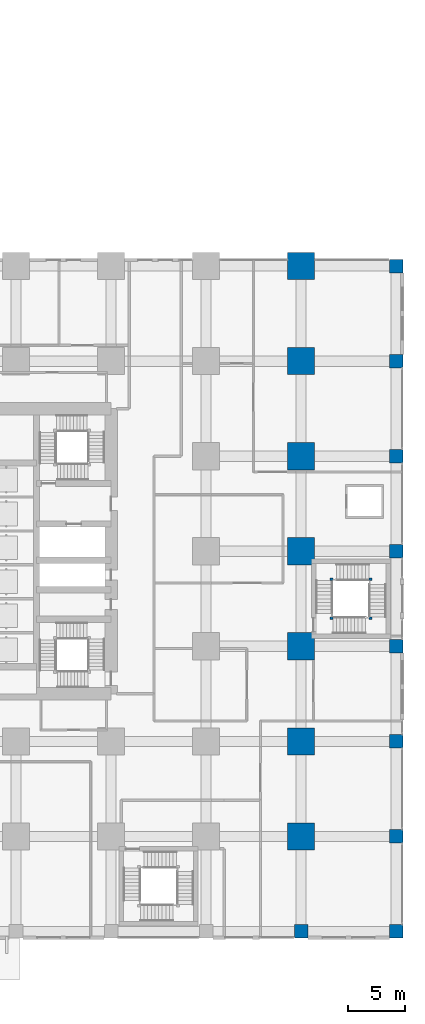
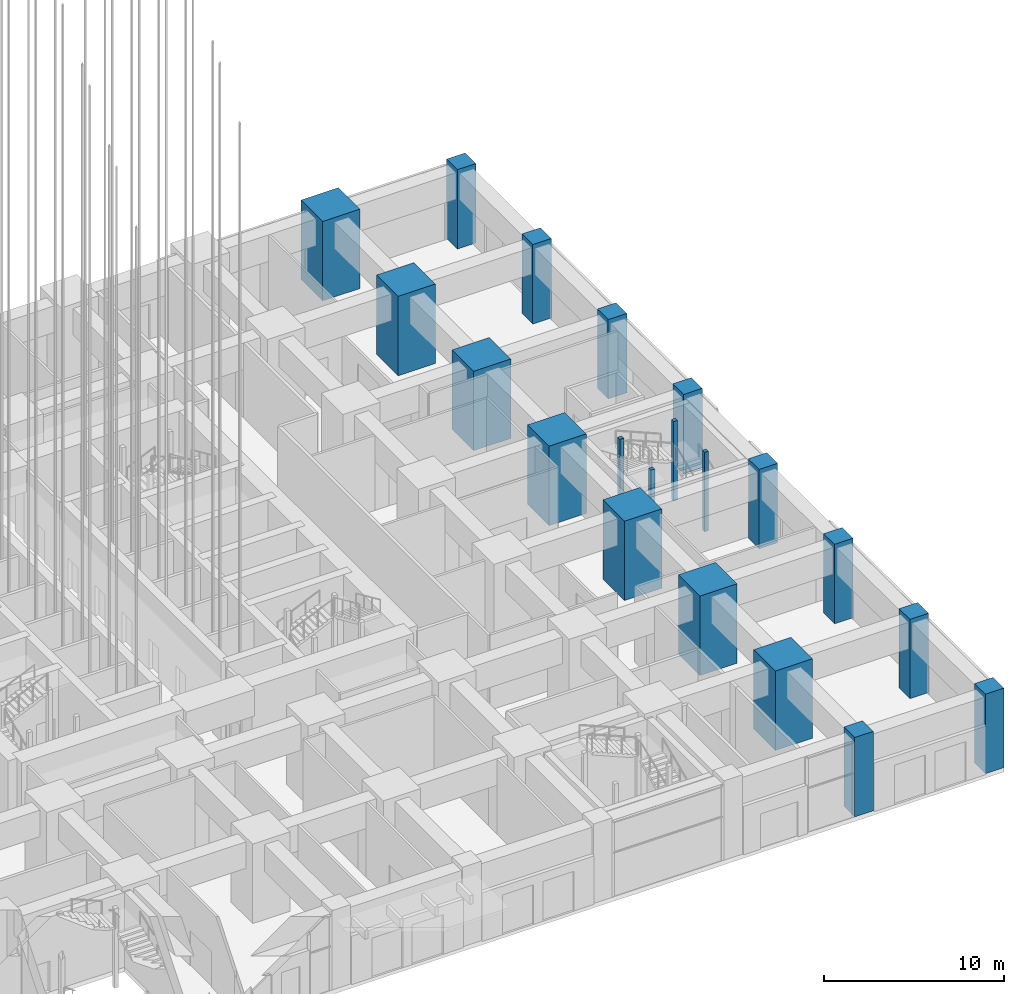
# One storey, part 2 of 81: 20 columns.
"""IFC4 building model written with IfcOpenShell, lengths in metres."""

from ifc_helpers import new_model, si_unit, direction, frame, origin, origin_2d, place, context, subcontext, project, spatial, rectangle, extrude, material, material_profile, profile_set, type_object, element, save


model = new_model("IFC4")

# Units and contexts
model_context = context("Model", 3, precision=1e-05, world=origin(), true_north=direction((0.0, 1.0)))
body_context = subcontext(model_context, "Body", "Model", "MODEL_VIEW")
ifc_project = project(units=[si_unit("LENGTHUNIT", "METRE"), si_unit("AREAUNIT", "SQUARE_METRE"), si_unit("VOLUMEUNIT", "CUBIC_METRE"), si_unit("PLANEANGLEUNIT", "RADIAN"), si_unit("MASSUNIT", "GRAM", prefix="KILO")], contexts=[model_context])

# Site, building, storey
site_placement = place(None, origin())
site = spatial("IfcSite", under=ifc_project, at=site_placement, CompositionType="ELEMENT")
building_placement = place(site_placement, origin())
building = spatial("IfcBuilding", under=site, at=building_placement, Name="Rekha Terrace Tower", CompositionType="ELEMENT")
storey_placement = place(building_placement, origin())
storey = spatial("IfcBuildingStorey", under=building, at=storey_placement, Name="L00", CompositionType="ELEMENT", Elevation=0.0)

# Columns
ifc_material_1 = material(Name="Concrete M70", Category="concrete")
ifc_material_profile_1 = material_profile(ifc_material_1, rectangle(XDim=2.39990234375, YDim=2.39990234375, at=origin_2d()), Name="RC 2400x2400")
ifc_profile_set_1 = profile_set([ifc_material_profile_1], Name="Concrete M70")
column_type_1 = type_object("IfcColumnType", Name="C1 2400x2400 column", PredefinedType="COLUMN", material=ifc_profile_set_1)
for number, where, z_axis, x_axis, name in (
    (1, (67.199951171875, 8.39990234375, 0.0), (0.0, 0.0, 1.0), (1.0, 0.0, 0.0), "Column C1 9/B L00"),
    (2, (67.199951171875, 16.800048828125, 0.0), (0.0, 0.0, 1.0), (1.0, 0.0, 0.0), "Column C1 9/C L00"),
    (3, (67.199951171875, 25.199951171875, 0.0), (0.0, 0.0, 1.0), (1.0, 0.0, 0.0), "Column C1 9/D L00"),
    (4, (67.199951171875, 33.60009765625, 0.0), (0.0, 0.0, 1.0), (1.0, 0.0, 0.0), "Column C1 9/E L00"),
    (5, (67.199951171875, 42.0, 0.0), (0.0, 0.0, 1.0), (1.0, 0.0, 0.0), "Column C1 9/F L00"),
    (6, (67.199951171875, 50.39990234375, 0.0), (0.0, 0.0, 1.0), (1.0, 0.0, 0.0), "Column C1 9/G L00"),
    (7, (67.199951171875, 58.800048828125, 0.0), (0.0, 0.0, 1.0), (1.0, 0.0, 0.0), "Column C1 9/H L00"),
):
    element("IfcColumn", number, at=place(storey_placement, frame(where, z_axis=z_axis, x_axis=x_axis)), inside=storey, type_object=column_type_1, Name=name, PredefinedType="COLUMN", context=body_context, shape_type="SweptSolid", body=[
        extrude(rectangle(XDim=2.39990234375, YDim=2.39990234375, at=origin_2d()), origin(), (0.0, 0.0, 1.0), 5.39990234375),
    ])
ifc_material_2 = material(Name="Concrete M60", Category="concrete")
ifc_material_profile_2 = material_profile(ifc_material_2, rectangle(XDim=1.199951171875, YDim=1.199951171875, at=origin_2d()), Name="RC 1200x1200")
ifc_profile_set_2 = profile_set([ifc_material_profile_2], Name="Concrete M60")
column_type_2 = type_object("IfcColumnType", Name="C6 1200x1200 podium column", PredefinedType="COLUMN", material=ifc_profile_set_2)
for number, where, z_axis, x_axis, name in (
    (8, (67.199951171875, 0.0, 0.0), (0.0, 0.0, 1.0), (1.0, 0.0, 0.0), "Column C6 9/A L00"),
    (9, (75.60009765625, 0.0, 0.0), (0.0, 0.0, 1.0), (1.0, 0.0, 0.0), "Column C6 10/A L00"),
    (10, (75.60009765625, 8.39990234375, 0.0), (0.0, 0.0, 1.0), (1.0, 0.0, 0.0), "Column C6 10/B L00"),
    (11, (75.60009765625, 16.800048828125, 0.0), (0.0, 0.0, 1.0), (1.0, 0.0, 0.0), "Column C6 10/C L00"),
    (12, (75.60009765625, 25.199951171875, 0.0), (0.0, 0.0, 1.0), (1.0, 0.0, 0.0), "Column C6 10/D L00"),
    (13, (75.60009765625, 33.60009765625, 0.0), (0.0, 0.0, 1.0), (1.0, 0.0, 0.0), "Column C6 10/E L00"),
    (14, (75.60009765625, 42.0, 0.0), (0.0, 0.0, 1.0), (1.0, 0.0, 0.0), "Column C6 10/F L00"),
    (15, (75.60009765625, 50.39990234375, 0.0), (0.0, 0.0, 1.0), (1.0, 0.0, 0.0), "Column C6 10/G L00"),
    (16, (75.60009765625, 58.800048828125, 0.0), (0.0, 0.0, 1.0), (1.0, 0.0, 0.0), "Column C6 10/H L00"),
):
    element("IfcColumn", number, at=place(storey_placement, frame(where, z_axis=z_axis, x_axis=x_axis)), inside=storey, type_object=column_type_2, Name=name, PredefinedType="COLUMN", context=body_context, shape_type="SweptSolid", body=[
        extrude(rectangle(XDim=1.199951171875, YDim=1.199951171875, at=origin_2d()), origin(), (0.0, 0.0, 1.0), 5.39990234375),
    ])
ifc_material_profile_3 = material_profile(ifc_material_2, rectangle(XDim=0.25, YDim=0.25, at=origin_2d()), Name="RC 250x250")
ifc_profile_set_3 = profile_set([ifc_material_profile_3], Name="Concrete M60")
column_type_3 = type_object("IfcColumnType", Name="NP1 250x250 stair newel post", PredefinedType="COLUMN", material=ifc_profile_set_3)
for number, where, z_axis, x_axis, name in (
    (17, (69.875, 27.675048828125, 0.0), (0.0, 0.0, 1.0), (1.0, 0.0, 0.0), "Stair newel post NP1"),
    (18, (73.324951171875, 27.675048828125, 0.0), (0.0, 0.0, 1.0), (1.0, 0.0, 0.0), "Stair newel post NP1"),
    (19, (73.324951171875, 31.125, 0.0), (0.0, 0.0, 1.0), (1.0, 0.0, 0.0), "Stair newel post NP1"),
    (20, (69.875, 31.125, 0.0), (0.0, 0.0, 1.0), (1.0, 0.0, 0.0), "Stair newel post NP1"),
):
    element("IfcColumn", number, at=place(storey_placement, frame(where, z_axis=z_axis, x_axis=x_axis)), inside=storey, type_object=column_type_3, Name=name, PredefinedType="COLUMN", context=body_context, shape_type="SweptSolid", body=[
        extrude(rectangle(XDim=0.25, YDim=0.25, at=origin_2d()), origin(), (0.0, 0.0, 1.0), 5.39990234375),
    ])

save(model, "model.ifc")
